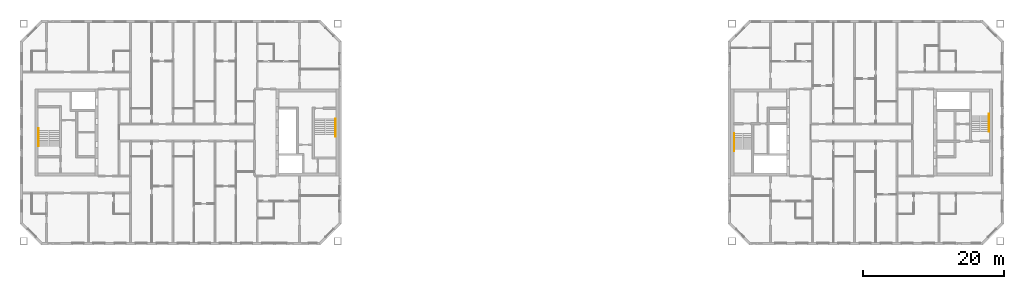
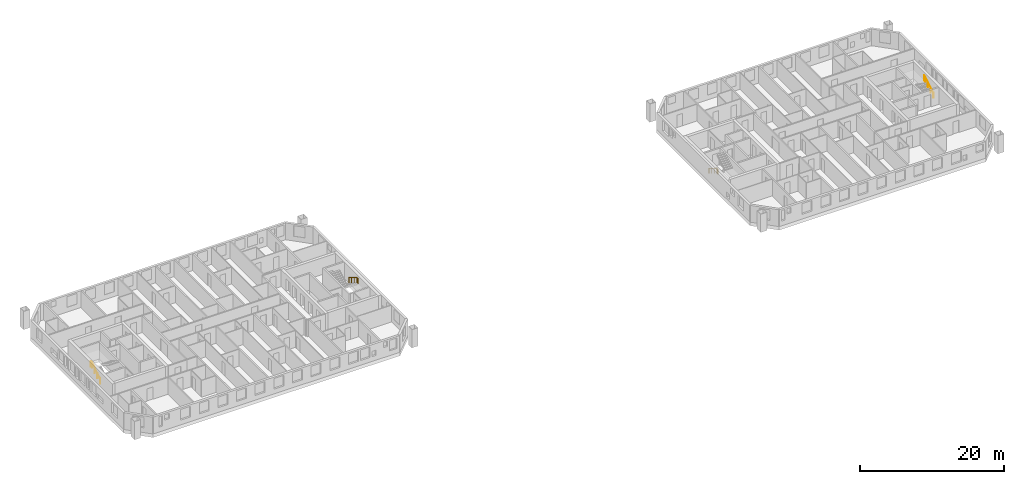
# One storey, part 16 of 16: 4 railings.
"""IFC4 building model written with IfcOpenShell, lengths in metres."""

import ifcopenshell
import ifcopenshell.guid

model = None  # the IFC model being written
_history = None  # IfcOwnerHistory: only IFC2X3 demands one
_inside = {}  # id of a spatial element -> (the spatial element, [elements in it])
_under = {}  # id of a project, library or spatial element -> (it, [spatial elements below it])
_declared = {}  # id of a project -> (the project, [libraries it declares])
_typed = {}  # id of a type object -> (the type object, [elements of that type])
_made_of = {}  # id of a material, layer set ... -> (it, [elements and type objects made of it])


def new_model(schema):
    """Start an empty IFC model of exactly this schema.

    Asked for "IFC4X3", IfcOpenShell would pick the latest addendum, in which some entities
    have other attributes; the version numbers below select the first issue.
    IFC2X3 requires an IfcOwnerHistory on every rooted entity: one is made here for all.
    """
    global model, _history
    if schema == "IFC4X3":
        model = ifcopenshell.file(schema_version=(4, 3, 0, 0))
    else:
        model = ifcopenshell.file(schema=schema)
    _inside.clear()
    _under.clear()
    _declared.clear()
    _typed.clear()
    _made_of.clear()
    _history = None
    if model.schema == "IFC2X3":
        org = make("IfcOrganization", Name="unknown")
        user = make(
            "IfcPersonAndOrganization",
            ThePerson=make("IfcPerson", FamilyName="unknown"),
            TheOrganization=org,
        )
        app = make(
            "IfcApplication",
            ApplicationDeveloper=org,
            Version="unknown",
            ApplicationFullName="unknown",
            ApplicationIdentifier="unknown",
        )
        _history = make(
            "IfcOwnerHistory",
            OwningUser=user,
            OwningApplication=app,
            ChangeAction="ADDED",
            CreationDate=0,
        )
    return model


def make(cls, **values):
    """One entity of the class cls with the attributes given. An attribute that is None is left unset."""
    return model.create_entity(
        cls, **{name: value for name, value in values.items() if value is not None}
    )


def rooted(cls, **values):
    """An entity with a GlobalId (a new one), such as an element, a storey or a relation."""
    return make(cls, GlobalId=ifcopenshell.guid.new(), OwnerHistory=_history, **values)


def si_unit(unit_type, name, prefix=None):
    """IfcSIUnit, for example si_unit("LENGTHUNIT", "METRE", prefix="MILLI")."""
    return make("IfcSIUnit", UnitType=unit_type, Prefix=prefix, Name=name)


def assignment(units):
    """IfcUnitAssignment: the units of a project."""
    return None if units is None else make("IfcUnitAssignment", Units=units)


def point(xyz):
    """IfcCartesianPoint."""
    return None if xyz is None else make("IfcCartesianPoint", Coordinates=xyz)


def direction(xyz):
    """IfcDirection."""
    return None if xyz is None else make("IfcDirection", DirectionRatios=xyz)


def frame(location, z_axis=None, x_axis=None):
    """IfcAxis2Placement3D, a coordinate frame: its origin and axes. An axis left out is left unset."""
    return make(
        "IfcAxis2Placement3D",
        Location=point(location),
        Axis=direction(z_axis),
        RefDirection=direction(x_axis),
    )


def frame_2d(location, x_axis=None):
    """IfcAxis2Placement2D, a coordinate frame in the plane: its origin and x axis."""
    return make(
        "IfcAxis2Placement2D", Location=point(location), RefDirection=direction(x_axis)
    )


def origin():
    """The frame at (0, 0, 0) with its axes left unset."""
    return frame((0.0, 0.0, 0.0))


def origin_2d():
    """The frame at (0, 0) in the plane with its x axis left unset."""
    return frame_2d((0.0, 0.0))


def place(relative_to, where):
    """IfcLocalPlacement: puts the frame where relative to a parent placement (None: the world)."""
    return make(
        "IfcLocalPlacement", PlacementRelTo=relative_to, RelativePlacement=where
    )


def context(
    kind, dimensions, precision=None, world=None, true_north=None, identifier=None
):
    """IfcGeometricRepresentationContext, for example the 3D "Model" context."""
    return make(
        "IfcGeometricRepresentationContext",
        ContextIdentifier=identifier,
        ContextType=kind,
        CoordinateSpaceDimension=dimensions,
        Precision=precision,
        WorldCoordinateSystem=world,
        TrueNorth=true_north,
    )


def subcontext(parent, identifier, kind, view, scale=None):
    """IfcGeometricRepresentationSubContext, for example "Body" below "Model"."""
    return make(
        "IfcGeometricRepresentationSubContext",
        ContextIdentifier=identifier,
        ContextType=kind,
        ParentContext=parent,
        TargetScale=scale,
        TargetView=view,
    )


def project(units=None, contexts=None):
    """IfcProject with its units and contexts."""
    return rooted(
        "IfcProject",
        Name="project",
        RepresentationContexts=contexts,
        UnitsInContext=assignment(units),
    )


def spatial(cls, under=None, at=None, **own):
    """A site, building, storey or space (cls), placed at a placement, below another one or the project."""
    s = rooted(cls, ObjectPlacement=at, **own)
    if under is not None:
        _under.setdefault(under.id(), (under, []))[1].append(s)
    return s


def profile(cls, at=None, kind="AREA", **sizes):
    """A parametric profile (cls). Its sizes go by their IFC names, for example OverallWidth=200.0."""
    return make(cls, ProfileType=kind, Position=at, **sizes)


def circle(**sizes):
    """IfcCircleProfileDef."""
    return profile("IfcCircleProfileDef", **sizes)


def extrude(swept, where, along, depth):
    """IfcExtrudedAreaSolid: the profile swept, set in the frame where, extruded along a direction by depth."""
    return make(
        "IfcExtrudedAreaSolid",
        SweptArea=swept,
        Position=where,
        ExtrudedDirection=direction(along),
        Depth=depth,
    )


def shape(context_of_items, identifier, shape_type, items):
    """IfcShapeRepresentation: the items that make up one representation, for example the "Body"."""
    return make(
        "IfcShapeRepresentation",
        ContextOfItems=context_of_items,
        RepresentationIdentifier=identifier,
        RepresentationType=shape_type,
        Items=items,
    )


def material(Name=None, Category=None):
    """IfcMaterial."""
    return make("IfcMaterial", Name=Name, Category=Category)


def made_of(thing, what):
    """Note that an element or type object is made of a material, layer set ...; save() writes the relation."""
    if what is not None:
        _made_of.setdefault(what.id(), (what, []))[1].append(thing)
    return thing


def type_object(cls, material=None, **own):
    """A type object (cls), such as IfcWallType, which elements share."""
    return made_of(rooted(cls, **own), material)


def element(
    cls,
    number,
    at=None,
    inside=None,
    cuts=None,
    type_object=None,
    material=None,
    context=None,
    identifier="Body",
    shape_type=None,
    held_by="IfcProductDefinitionShape",
    body=None,
    shapes=None,
    **own,
):
    """One element of the class cls, such as IfcWall. Its Tag is "e" and its number.

    at: its placement. inside: the storey or other place that contains it. cuts: it is an
    opening in that element (IfcRelVoidsElement). A single representation is given by context,
    identifier, shape_type and body (its items); several are given by shapes. held_by: the class
    of the entity that holds the representations. save() writes the other relations.
    """
    e = rooted(cls, Tag="e%d" % number, ObjectPlacement=at, **own)
    if body is not None:
        shapes = [shape(context, identifier, shape_type, body)]
    if shapes is not None:
        e.Representation = make(held_by, Representations=shapes)
    if inside is not None:
        _inside.setdefault(inside.id(), (inside, []))[1].append(e)
    if cuts is not None:
        rooted(
            "IfcRelVoidsElement", RelatingBuildingElement=cuts, RelatedOpeningElement=e
        )
    if type_object is not None:
        _typed.setdefault(type_object.id(), (type_object, []))[1].append(e)
    return made_of(e, material)


def aggregate(whole, parts):
    """IfcRelAggregates: a whole, such as a stair, and the parts it consists of."""
    return rooted("IfcRelAggregates", RelatingObject=whole, RelatedObjects=parts)


def save(model, path):
    """Write the relations noted so far, then the file.

    IfcRelAggregates (storeys below a building ...), IfcRelContainedInSpatialStructure (elements
    in a storey), IfcRelDefinesByType, IfcRelAssociatesMaterial and IfcRelDeclares: one each for
    every whole, place, type object, material and project.
    """
    for whole, parts in _under.values():
        aggregate(whole, parts)
    for where, things in _inside.values():
        rooted(
            "IfcRelContainedInSpatialStructure",
            RelatedElements=things,
            RelatingStructure=where,
        )
    for kind, things in _typed.values():
        rooted("IfcRelDefinesByType", RelatedObjects=things, RelatingType=kind)
    for what, things in _made_of.values():
        rooted("IfcRelAssociatesMaterial", RelatedObjects=things, RelatingMaterial=what)
    for by, libraries in _declared.values():
        rooted("IfcRelDeclares", RelatingContext=by, RelatedDefinitions=libraries)
    model.write(path)


model = new_model("IFC4")

# Units and contexts
model_context = context("Model", 3, precision=1e-05, world=origin(), true_north=direction((0.0, 1.0)))
body_context = subcontext(model_context, "Body", "Model", "MODEL_VIEW")
ifc_project = project(units=[si_unit("LENGTHUNIT", "METRE"), si_unit("AREAUNIT", "SQUARE_METRE"), si_unit("VOLUMEUNIT", "CUBIC_METRE"), si_unit("PLANEANGLEUNIT", "RADIAN"), si_unit("MASSUNIT", "GRAM", prefix="KILO")], contexts=[model_context])

# Site, building, storey
site_placement = place(None, origin())
site = spatial("IfcSite", under=ifc_project, at=site_placement, CompositionType="ELEMENT")
building_placement = place(site_placement, origin())
building = spatial("IfcBuilding", under=site, at=building_placement, Name="Tuart Gate Housing", CompositionType="ELEMENT")
storey_placement = place(building_placement, frame((0.0, 0.0, 175.800048828125)))
storey = spatial("IfcBuildingStorey", under=building, at=storey_placement, Name="L49", CompositionType="ELEMENT", Elevation=175.800048828125)

# Railings
ifc_material = material(Name="Stainless steel", Category="steel")
railing_type = type_object("IfcRailingType", Name="Stair handrail 900", PredefinedType="HANDRAIL", material=ifc_material)
railing_1_placement = place(storey_placement, frame((75.1298828125, 71.949951171875, 0.172119140625)))
element("IfcRailing", 1, at=railing_1_placement, inside=storey, type_object=railing_type, Name="Stair handrail SA1.1", PredefinedType="HANDRAIL", context=body_context, shape_type="SweptSolid", body=[
    extrude(circle(Radius=0.02392578125, at=origin_2d()), frame((0.0, 0.0, 0.8759765625), z_axis=(0.0, -0.851747552033, 0.523952390591), x_axis=(1.0, 0.0, 0.0)), (0.0, 0.0, 1.0), 2.6298828125),
    extrude(circle(Radius=0.02392578125, at=origin_2d()), frame((0.0, -2.239990234375, 2.25390625), z_axis=(0.0, -1.0, 0.0), x_axis=(1.0, 0.0, 0.0)), (0.0, 0.0, 1.0), 0.300048828125),
    extrude(circle(Radius=0.02099609375, at=origin_2d()), origin(), (0.0, 0.0, 1.0), 0.851806640625),
    extrude(circle(Radius=0.02099609375, at=origin_2d()), frame((0.0, -0.74658203125, 0.459228515625)), (0.0, 0.0, 1.0), 0.851806640625),
    extrude(circle(Radius=0.02099609375, at=origin_2d()), frame((0.0, -1.493408203125, 0.918701171875)), (0.0, 0.0, 1.0), 0.851806640625),
    extrude(circle(Radius=0.02099609375, at=origin_2d()), frame((0.0, -2.239990234375, 1.3779296875)), (0.0, 0.0, 1.0), 0.851806640625),
    extrude(circle(Radius=0.02099609375, at=origin_2d()), frame((0.0, -2.5400390625, 1.3779296875)), (0.0, 0.0, 1.0), 0.851806640625),
])
railing_2_placement = place(storey_placement, frame((32.8701171875, 68.050048828125, 0.172119140625)))
element("IfcRailing", 2, at=railing_2_placement, inside=storey, type_object=railing_type, Name="Stair handrail SA2.1", PredefinedType="HANDRAIL", context=body_context, shape_type="SweptSolid", body=[
    extrude(circle(Radius=0.02392578125, at=origin_2d()), frame((0.0, 0.0, 0.8759765625), z_axis=(0.0, 0.851747552033, 0.523952390591), x_axis=(-1.0, 0.0, 0.0)), (0.0, 0.0, 1.0), 2.6298828125),
    extrude(circle(Radius=0.02392578125, at=origin_2d()), frame((0.0, 2.239990234375, 2.25390625), z_axis=(0.0, 1.0, 0.0), x_axis=(-1.0, 0.0, 0.0)), (0.0, 0.0, 1.0), 0.300048828125),
    extrude(circle(Radius=0.02099609375, at=origin_2d()), origin(), (0.0, 0.0, 1.0), 0.851806640625),
    extrude(circle(Radius=0.02099609375, at=origin_2d()), frame((0.0, 0.74658203125, 0.459228515625)), (0.0, 0.0, 1.0), 0.851806640625),
    extrude(circle(Radius=0.02099609375, at=origin_2d()), frame((0.0, 1.493408203125, 0.918701171875)), (0.0, 0.0, 1.0), 0.851806640625),
    extrude(circle(Radius=0.02099609375, at=origin_2d()), frame((0.0, 2.239990234375, 1.3779296875)), (0.0, 0.0, 1.0), 0.851806640625),
    extrude(circle(Radius=0.02099609375, at=origin_2d()), frame((0.0, 2.5400390625, 1.3779296875)), (0.0, 0.0, 1.0), 0.851806640625),
])
railing_3_placement = place(storey_placement, frame((131.8701171875, 69.875, 0.172119140625)))
element("IfcRailing", 3, at=railing_3_placement, inside=storey, type_object=railing_type, Name="Stair handrail SB1.1", PredefinedType="HANDRAIL", context=body_context, shape_type="SweptSolid", body=[
    extrude(circle(Radius=0.02392578125, at=origin_2d()), frame((0.0, 0.0, 0.8759765625), z_axis=(0.0, -0.851747552033, 0.523952390591), x_axis=(1.0, 0.0, 0.0)), (0.0, 0.0, 1.0), 2.6298828125),
    extrude(circle(Radius=0.02392578125, at=origin_2d()), frame((0.0, -2.239990234375, 2.25390625), z_axis=(0.0, -1.0, 0.0), x_axis=(1.0, 0.0, 0.0)), (0.0, 0.0, 1.0), 0.300048828125),
    extrude(circle(Radius=0.02099609375, at=origin_2d()), origin(), (0.0, 0.0, 1.0), 0.851806640625),
    extrude(circle(Radius=0.02099609375, at=origin_2d()), frame((0.0, -0.74658203125, 0.459228515625)), (0.0, 0.0, 1.0), 0.851806640625),
    extrude(circle(Radius=0.02099609375, at=origin_2d()), frame((0.0, -1.493408203125, 0.918701171875)), (0.0, 0.0, 1.0), 0.851806640625),
    extrude(circle(Radius=0.02099609375, at=origin_2d()), frame((0.0, -2.239990234375, 1.3779296875)), (0.0, 0.0, 1.0), 0.851806640625),
    extrude(circle(Radius=0.02099609375, at=origin_2d()), frame((0.0, -2.5400390625, 1.3779296875)), (0.0, 0.0, 1.0), 0.851806640625),
])
railing_4_placement = place(storey_placement, frame((168.1298828125, 70.125, 0.172119140625)))
element("IfcRailing", 4, at=railing_4_placement, inside=storey, type_object=railing_type, Name="Stair handrail SB2.1", PredefinedType="HANDRAIL", context=body_context, shape_type="SweptSolid", body=[
    extrude(circle(Radius=0.02392578125, at=origin_2d()), frame((0.0, 0.0, 0.8759765625), z_axis=(0.0, 0.851747552033, 0.523952390591), x_axis=(-1.0, 0.0, 0.0)), (0.0, 0.0, 1.0), 2.6298828125),
    extrude(circle(Radius=0.02392578125, at=origin_2d()), frame((0.0, 2.239990234375, 2.25390625), z_axis=(0.0, 1.0, 0.0), x_axis=(-1.0, 0.0, 0.0)), (0.0, 0.0, 1.0), 0.300048828125),
    extrude(circle(Radius=0.02099609375, at=origin_2d()), origin(), (0.0, 0.0, 1.0), 0.851806640625),
    extrude(circle(Radius=0.02099609375, at=origin_2d()), frame((0.0, 0.74658203125, 0.459228515625)), (0.0, 0.0, 1.0), 0.851806640625),
    extrude(circle(Radius=0.02099609375, at=origin_2d()), frame((0.0, 1.493408203125, 0.918701171875)), (0.0, 0.0, 1.0), 0.851806640625),
    extrude(circle(Radius=0.02099609375, at=origin_2d()), frame((0.0, 2.239990234375, 1.3779296875)), (0.0, 0.0, 1.0), 0.851806640625),
    extrude(circle(Radius=0.02099609375, at=origin_2d()), frame((0.0, 2.5400390625, 1.3779296875)), (0.0, 0.0, 1.0), 0.851806640625),
])

save(model, "model.ifc")
